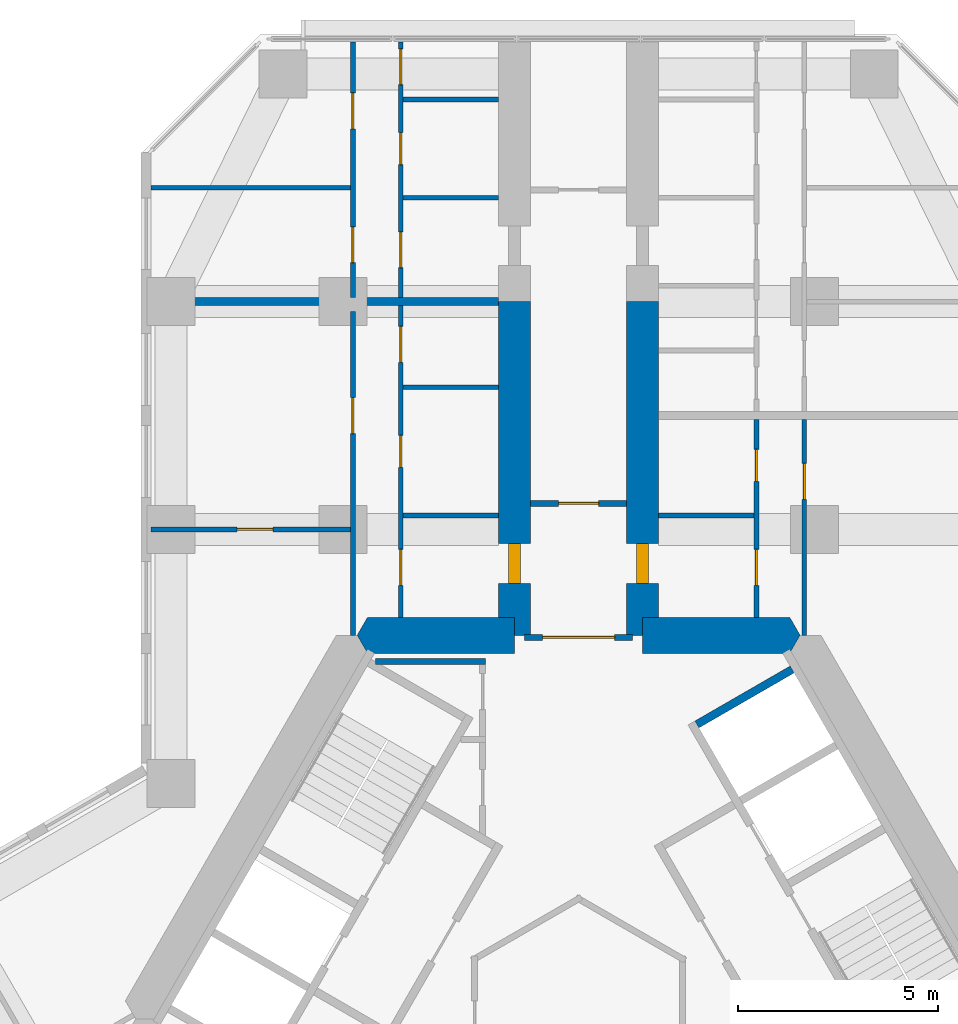
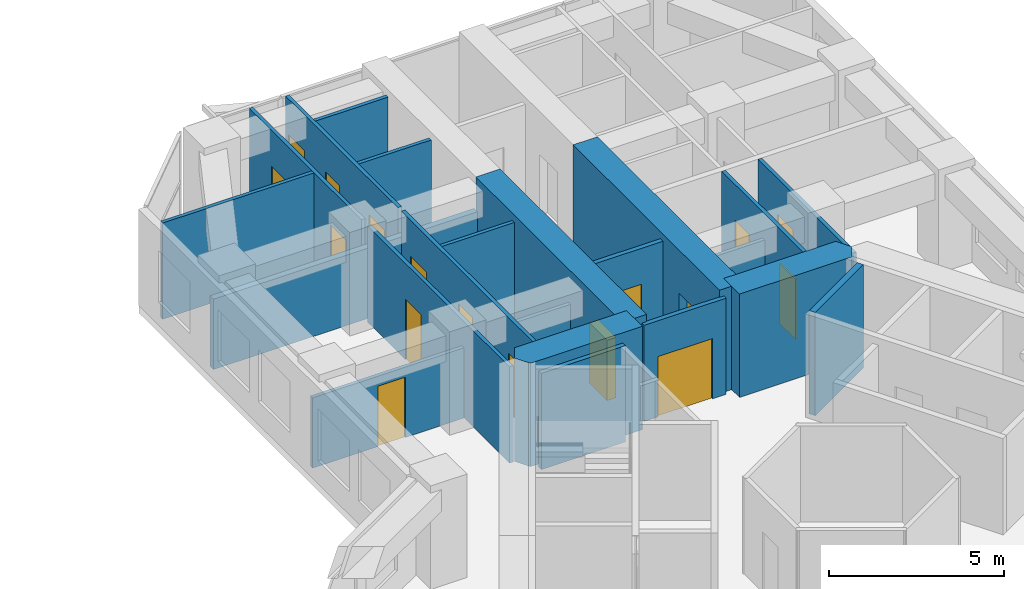
# One storey, part 17 of 20: 22 walls, 17 doors, 17 openings.
"""IFC4 building model written with IfcOpenShell, lengths in metres."""

from ifc_helpers import new_model, si_unit, direction, frame, frame_2d, origin, place, context, subcontext, project, spatial, polyline, rectangle, outline, extrude, material, layer, layer_set, type_object, element, fill, save


model = new_model("IFC4")

# Units and contexts
model_context = context("Model", 3, precision=1e-05, world=origin(), true_north=direction((0.0, 1.0)))
body_context = subcontext(model_context, "Body", "Model", "MODEL_VIEW")
ifc_project = project(units=[si_unit("LENGTHUNIT", "METRE"), si_unit("AREAUNIT", "SQUARE_METRE"), si_unit("VOLUMEUNIT", "CUBIC_METRE"), si_unit("PLANEANGLEUNIT", "RADIAN"), si_unit("MASSUNIT", "GRAM", prefix="KILO")], contexts=[model_context])

# Site, building, storey
site_placement = place(None, origin())
site = spatial("IfcSite", under=ifc_project, at=site_placement, CompositionType="ELEMENT")
building_placement = place(site_placement, origin())
building = spatial("IfcBuilding", under=site, at=building_placement, Name="Kosmar Iwan School Tower", CompositionType="ELEMENT")
storey_placement = place(building_placement, frame((0.0, 0.0, 123.800048828125)))
storey = spatial("IfcBuildingStorey", under=building, at=storey_placement, Name="L30", CompositionType="ELEMENT", Elevation=123.800048828125)

# Walls
ifc_material_1 = material(Name="Gypsum board on steel studs, fire-rated", Category="steel")
ifc_layer_1 = layer(ifc_material_1, 0.14990234375)
ifc_layer_set_1 = layer_set([ifc_layer_1], Name="Core room partition 150")
wall_type_1 = type_object("IfcWallType", Name="Core room partition 150", PredefinedType="PARTITIONING", material=ifc_layer_set_1)
wall_1_placement = place(storey_placement, frame((-5.089599609375, 8.93994140625, 0.0), z_axis=(0.0, 0.0, 1.0), x_axis=(1.0, 0.0, 0.0)))
element("IfcWall", 1, at=wall_1_placement, inside=storey, type_object=wall_type_1, Name="Core room partition L30-CW3", PredefinedType="PARTITIONING", context=body_context, shape_type="SweptSolid", body=[
    extrude(rectangle(XDim=2.7646484375, YDim=0.14990234375, at=frame_2d((1.38232421875, 0.0))), origin(), (0.0, 0.0, 1.0), 3.349853515625),
])
ifc_material_2 = material(Name="Concrete C50/60", Category="concrete")
ifc_layer_2 = layer(ifc_material_2, 0.89990234375)
ifc_layer_set_2 = layer_set([ifc_layer_2], Name="Core wall 900")
wall_type_2 = type_object("IfcWallType", Name="Core wall 900", PredefinedType="SHEAR", material=ifc_layer_set_2)
wall_2_placement = place(storey_placement, origin())
element("IfcWall", 2, at=wall_2_placement, inside=storey, type_object=wall_type_2, Name="Core wall F090a", PredefinedType="SHEAR", context=body_context, shape_type="SweptSolid", body=[
    extrude(outline(polyline([(1.60009765625, 9.14990234375), (5.28271484375, 9.14990234375), (5.54248046875, 9.60009765625), (5.28271484375, 10.050048828125), (1.60009765625, 10.050048828125), (1.60009765625, 9.14990234375)])), origin(), (0.0, 0.0, 1.0), 3.599853515625),
])
wall_3_placement = place(storey_placement, origin())
element("IfcWall", 3, at=wall_3_placement, inside=storey, type_object=wall_type_2, Name="Core wall F090b", PredefinedType="SHEAR", context=body_context, shape_type="SweptSolid", body=[
    extrude(outline(polyline([(-5.28271484375, 9.14990234375), (-1.60009765625, 9.14990234375), (-1.60009765625, 10.050048828125), (-5.28271484375, 10.050048828125), (-5.54248046875, 9.60009765625), (-5.28271484375, 9.14990234375)])), origin(), (0.0, 0.0, 1.0), 3.599853515625),
])

# Wall, opening, door
ifc_material_3 = material(Name="Concrete C50/60", Category="concrete")
ifc_layer_3 = layer(ifc_material_3, 0.800048828125)
ifc_layer_set_3 = layer_set([ifc_layer_3], Name="Corridor buttress wall 800")
wall_type_3 = type_object("IfcWallType", Name="Corridor buttress wall 800", PredefinedType="SHEAR", material=ifc_layer_set_3)
wall_4_placement = place(storey_placement, frame((-1.60009765625, 9.60009765625, 0.0), z_axis=(0.0, 0.0, 1.0), x_axis=(0.0, 1.0, 0.0)))
wall_4 = element("IfcWall", 4, at=wall_4_placement, inside=storey, type_object=wall_type_3, Name="Corridor wall AL", PredefinedType="SHEAR", context=body_context, shape_type="SweptSolid", body=[
    extrude(rectangle(XDim=8.349853515625, YDim=0.800048828125, at=frame_2d((4.1748046875, 0.0))), origin(), (0.0, 0.0, 1.0), 3.599853515625),
])
opening_1_placement = place(wall_4_placement, frame((1.300048828125, 0.0, 0.0)))
opening_1 = element("IfcOpeningElement", 5, at=opening_1_placement, cuts=wall_4, Name="Opening D1", PredefinedType="OPENING", context=body_context, shape_type="SweptSolid", body=[
    extrude(rectangle(XDim=1.0, YDim=2.10009765625, at=frame_2d((0.5, 1.050048828125))), frame((0.0, 0.412109375, 0.0), z_axis=(0.0, -1.0, 0.0), x_axis=(1.0, 0.0, 0.0)), (0.0, 0.0, 1.0), 0.823974609375),
])
ifc_material_4 = material(Name="Timber fire door in steel frame", Category="steel")
door_type_1 = type_object("IfcDoorType", Name="Flat entrance door 1000x2100", OperationType="SINGLE_SWING_LEFT", PredefinedType="DOOR", material=ifc_material_4)
door_1_placement = place(opening_1_placement, origin())
door_1 = element("IfcDoor", 6, at=door_1_placement, inside=storey, type_object=door_type_1, Name="Flat L30-AL1 entrance door", OperationType="SINGLE_SWING_RIGHT", OverallHeight=2.10009765625, OverallWidth=1.0, PredefinedType="DOOR", context=body_context, shape_type="SweptSolid", body=[
    extrude(rectangle(XDim=1.0, YDim=2.10009765625, at=frame_2d((0.5, 1.050048828125))), frame((0.0, 0.14990234375, 0.0), z_axis=(0.0, -1.0, 0.0), x_axis=(1.0, 0.0, 0.0)), (0.0, 0.0, 1.0), 0.300048828125),
])
fill(opening_1, door_1)

wall_5_placement = place(storey_placement, frame((1.60009765625, 9.60009765625, 0.0), z_axis=(0.0, 0.0, 1.0), x_axis=(0.0, 1.0, 0.0)))
wall_5 = element("IfcWall", 7, at=wall_5_placement, inside=storey, type_object=wall_type_3, Name="Corridor wall AR", PredefinedType="SHEAR", context=body_context, shape_type="SweptSolid", body=[
    extrude(rectangle(XDim=8.349853515625, YDim=0.800048828125, at=frame_2d((4.1748046875, 0.0))), origin(), (0.0, 0.0, 1.0), 3.599853515625),
])
opening_2_placement = place(wall_5_placement, frame((1.300048828125, 0.0, 0.0)))
opening_2 = element("IfcOpeningElement", 8, at=opening_2_placement, cuts=wall_5, Name="Opening D1", PredefinedType="OPENING", context=body_context, shape_type="SweptSolid", body=[
    extrude(rectangle(XDim=1.0, YDim=2.10009765625, at=frame_2d((0.5, 1.050048828125))), frame((0.0, 0.412109375, 0.0), z_axis=(0.0, -1.0, 0.0), x_axis=(1.0, 0.0, 0.0)), (0.0, 0.0, 1.0), 0.823974609375),
])
door_2_placement = place(opening_2_placement, origin())
door_2 = element("IfcDoor", 9, at=door_2_placement, inside=storey, type_object=door_type_1, Name="Flat L30-AR1 entrance door", OperationType="SINGLE_SWING_RIGHT", OverallHeight=2.10009765625, OverallWidth=1.0, PredefinedType="DOOR", context=body_context, shape_type="SweptSolid", body=[
    extrude(rectangle(XDim=1.0, YDim=2.10009765625, at=frame_2d((0.5, 1.050048828125))), frame((0.0, 0.14990234375, 0.0), z_axis=(0.0, -1.0, 0.0), x_axis=(1.0, 0.0, 0.0)), (0.0, 0.0, 1.0), 0.300048828125),
])
fill(opening_2, door_2)

ifc_material_5 = material(Name="Gypsum board on steel studs, fire-rated", Category="steel")
ifc_layer_4 = layer(ifc_material_5, 0.14990234375)
ifc_layer_set_4 = layer_set([ifc_layer_4], Name="Corridor end wall 150")
wall_type_4 = type_object("IfcWallType", Name="Corridor end wall 150", PredefinedType="PARTITIONING", material=ifc_layer_set_4)
wall_6_placement = place(storey_placement, frame((1.199951171875, 12.89990234375, 0.0), z_axis=(0.0, 0.0, 1.0), x_axis=(-1.0, 0.0, 0.0)))
wall_6 = element("IfcWall", 10, at=wall_6_placement, inside=storey, type_object=wall_type_4, Name="Partition L30-A-HW", PredefinedType="PARTITIONING", context=body_context, shape_type="SweptSolid", body=[
    extrude(rectangle(XDim=2.39990234375, YDim=0.14990234375, at=frame_2d((1.199951171875, 0.0))), origin(), (0.0, 0.0, 1.0), 3.349853515625),
])
opening_3_placement = place(wall_6_placement, frame((0.699951171875, 0.0, 0.0)))
opening_3 = element("IfcOpeningElement", 11, at=opening_3_placement, cuts=wall_6, Name="Opening D13", PredefinedType="OPENING", context=body_context, shape_type="SweptSolid", body=[
    extrude(rectangle(XDim=1.0, YDim=2.10009765625, at=frame_2d((0.5, 1.050048828125))), frame((0.0, 0.0869140625, 0.0), z_axis=(0.0, -1.0, 0.0), x_axis=(1.0, 0.0, 0.0)), (0.0, 0.0, 1.0), 0.173828125),
])
ifc_material_6 = material(Name="Timber fire door with vision panel", Category="wood")
door_type_2 = type_object("IfcDoorType", Name="Corridor end door 1000x2100", OperationType="SINGLE_SWING_LEFT", PredefinedType="DOOR", material=ifc_material_6)
door_3_placement = place(opening_3_placement, origin())
door_3 = element("IfcDoor", 12, at=door_3_placement, inside=storey, type_object=door_type_2, Name="Hashti door L30-A", OperationType="SINGLE_SWING_RIGHT", OverallHeight=2.10009765625, OverallWidth=1.0, PredefinedType="DOOR", context=body_context, shape_type="SweptSolid", body=[
    extrude(rectangle(XDim=1.0, YDim=2.10009765625, at=frame_2d((0.5, 1.050048828125))), frame((0.0, 0.02490234375, 0.0), z_axis=(0.0, -1.0, 0.0), x_axis=(1.0, 0.0, 0.0)), (0.0, 0.0, 1.0), 0.050048828125),
])
fill(opening_3, door_3)

ifc_material_7 = material(Name="Steel framed glazed screen", Category="steel")
ifc_layer_5 = layer(ifc_material_7, 0.14990234375)
ifc_layer_set_5 = layer_set([ifc_layer_5], Name="Corridor screen wall 150")
wall_type_5 = type_object("IfcWallType", Name="Corridor screen wall 150", PredefinedType="PARTITIONING", material=ifc_layer_set_5)
wall_7_placement = place(storey_placement, frame((1.35009765625, 9.550048828125, 0.0), z_axis=(0.0, 0.0, 1.0), x_axis=(-1.0, 0.0, 0.0)))
wall_7 = element("IfcWall", 13, at=wall_7_placement, inside=storey, type_object=wall_type_5, Name="Corridor screen A L30", PredefinedType="PARTITIONING", context=body_context, shape_type="SweptSolid", body=[
    extrude(rectangle(XDim=2.7001953125, YDim=0.14990234375, at=frame_2d((1.35009765625, 0.0))), origin(), (0.0, 0.0, 1.0), 3.349853515625),
])
opening_4_placement = place(wall_7_placement, frame((0.449951171875, 0.0, 0.0)))
opening_4 = element("IfcOpeningElement", 14, at=opening_4_placement, cuts=wall_7, Name="Opening D9", PredefinedType="OPENING", context=body_context, shape_type="SweptSolid", body=[
    extrude(rectangle(XDim=1.800048828125, YDim=2.10009765625, at=frame_2d((0.89990234375, 1.050048828125))), frame((0.0, 0.0869140625, 0.0), z_axis=(0.0, -1.0, 0.0), x_axis=(1.0, 0.0, 0.0)), (0.0, 0.0, 1.0), 0.173828125),
])
ifc_material_8 = material(Name="Steel framed glazed smoke door", Category="steel")
door_type_3 = type_object("IfcDoorType", Name="Corridor smoke door pair 1800x2100", OperationType="DOUBLE_DOOR_DOUBLE_SWING", PredefinedType="DOOR", material=ifc_material_8)
door_4_placement = place(opening_4_placement, origin())
door_4 = element("IfcDoor", 15, at=door_4_placement, inside=storey, type_object=door_type_3, Name="Corridor doors A L30", OperationType="DOUBLE_DOOR_DOUBLE_SWING", OverallHeight=2.10009765625, OverallWidth=1.800048828125, PredefinedType="DOOR", context=body_context, shape_type="SweptSolid", body=[
    extrude(rectangle(XDim=1.800048828125, YDim=2.10009765625, at=frame_2d((0.89990234375, 1.050048828125))), frame((0.0, 0.02490234375, 0.0), z_axis=(0.0, -1.0, 0.0), x_axis=(1.0, 0.0, 0.0)), (0.0, 0.0, 1.0), 0.050048828125),
])
fill(opening_4, door_4)

# Wall, openings, doors
ifc_material_9 = material(Name="Gypsum board on steel studs", Category="steel")
ifc_layer_6 = layer(ifc_material_9, 0.1201171875)
ifc_layer_set_6 = layer_set([ifc_layer_6], Name="Dwelling partition 120")
wall_type_6 = type_object("IfcWallType", Name="Dwelling partition 120", PredefinedType="PARTITIONING", material=ifc_layer_set_6)
wall_8_placement = place(storey_placement, frame((-4.449951171875, 10.050048828125, 0.0), z_axis=(0.0, 0.0, 1.0), x_axis=(0.0, 1.0, 0.0)))
wall_8 = element("IfcWall", 16, at=wall_8_placement, inside=storey, type_object=wall_type_6, Name="Partition L30-AL1-W1", PredefinedType="PARTITIONING", context=body_context, shape_type="SweptSolid", body=[
    extrude(rectangle(XDim=7.800048828125, YDim=0.1201171875, at=frame_2d((3.89990234375, 0.0))), origin(), (0.0, 0.0, 1.0), 3.349853515625),
])
opening_5_placement = place(wall_8_placement, frame((0.800048828125, 0.0, 0.0)))
opening_5 = element("IfcOpeningElement", 17, at=opening_5_placement, cuts=wall_8, Name="Opening D2", PredefinedType="OPENING", context=body_context, shape_type="SweptSolid", body=[
    extrude(rectangle(XDim=0.89990234375, YDim=2.10009765625, at=frame_2d((0.449951171875, 1.050048828125))), frame((0.0, 0.072021484375, 0.0), z_axis=(0.0, -1.0, 0.0), x_axis=(1.0, 0.0, 0.0)), (0.0, 0.0, 1.0), 0.14404296875),
])
opening_6_placement = place(wall_8_placement, frame((3.755126953125, 0.0, 0.0)))
opening_6 = element("IfcOpeningElement", 18, at=opening_6_placement, cuts=wall_8, Name="Opening D3", PredefinedType="OPENING", context=body_context, shape_type="SweptSolid", body=[
    extrude(rectangle(XDim=0.800048828125, YDim=2.10009765625, at=frame_2d((0.39990234375, 1.050048828125))), frame((0.0, 0.072021484375, 0.0), z_axis=(0.0, -1.0, 0.0), x_axis=(1.0, 0.0, 0.0)), (0.0, 0.0, 1.0), 0.14404296875),
])
opening_7_placement = place(wall_8_placement, frame((6.380126953125, 0.0, 0.0)))
opening_7 = element("IfcOpeningElement", 19, at=opening_7_placement, cuts=wall_8, Name="Opening D2", PredefinedType="OPENING", context=body_context, shape_type="SweptSolid", body=[
    extrude(rectangle(XDim=0.89990234375, YDim=2.10009765625, at=frame_2d((0.449951171875, 1.050048828125))), frame((0.0, 0.072021484375, 0.0), z_axis=(0.0, -1.0, 0.0), x_axis=(1.0, 0.0, 0.0)), (0.0, 0.0, 1.0), 0.14404296875),
])
ifc_material_10 = material(Name="Timber door in timber frame", Category="wood")
door_type_4 = type_object("IfcDoorType", Name="Internal door 900x2100", OperationType="SINGLE_SWING_LEFT", PredefinedType="DOOR", material=ifc_material_10)
door_5_placement = place(opening_5_placement, origin())
door_5 = element("IfcDoor", 20, at=door_5_placement, inside=storey, type_object=door_type_4, Name="Entrance hall door L30-AL1-S1", OperationType="SINGLE_SWING_LEFT", OverallHeight=2.10009765625, OverallWidth=0.89990234375, PredefinedType="DOOR", context=body_context, shape_type="SweptSolid", body=[
    extrude(rectangle(XDim=0.89990234375, YDim=2.10009765625, at=frame_2d((0.449951171875, 1.050048828125))), frame((0.0, 0.02490234375, 0.0), z_axis=(0.0, -1.0, 0.0), x_axis=(1.0, 0.0, 0.0)), (0.0, 0.0, 1.0), 0.050048828125),
])
fill(opening_5, door_5)
door_6_placement = place(opening_7_placement, origin())
door_6 = element("IfcDoor", 21, at=door_6_placement, inside=storey, type_object=door_type_4, Name="Pantry door L30-AL1-S3", OperationType="SINGLE_SWING_RIGHT", OverallHeight=2.10009765625, OverallWidth=0.89990234375, PredefinedType="DOOR", context=body_context, shape_type="SweptSolid", body=[
    extrude(rectangle(XDim=0.89990234375, YDim=2.10009765625, at=frame_2d((0.449951171875, 1.050048828125))), frame((0.0, 0.02490234375, 0.0), z_axis=(0.0, -1.0, 0.0), x_axis=(1.0, 0.0, 0.0)), (0.0, 0.0, 1.0), 0.050048828125),
])
fill(opening_7, door_6)
ifc_material_11 = material(Name="Timber door in timber frame", Category="wood")
door_type_5 = type_object("IfcDoorType", Name="Sanitary room door 800x2100", OperationType="SINGLE_SWING_LEFT", PredefinedType="DOOR", material=ifc_material_11)
door_7_placement = place(opening_6_placement, origin())
door_7 = element("IfcDoor", 22, at=door_7_placement, inside=storey, type_object=door_type_5, Name="Bathroom door L30-AL1-S2", OperationType="SINGLE_SWING_RIGHT", OverallHeight=2.10009765625, OverallWidth=0.800048828125, PredefinedType="DOOR", context=body_context, shape_type="SweptSolid", body=[
    extrude(rectangle(XDim=0.800048828125, YDim=2.10009765625, at=frame_2d((0.39990234375, 1.050048828125))), frame((0.0, 0.02490234375, 0.0), z_axis=(0.0, -1.0, 0.0), x_axis=(1.0, 0.0, 0.0)), (0.0, 0.0, 1.0), 0.050048828125),
])
fill(opening_6, door_7)

# Wall, opening, door
wall_9_placement = place(storey_placement, frame((-5.64990234375, 9.60009765625, 0.0), z_axis=(0.0, 0.0, 1.0), x_axis=(0.0, 1.0, 0.0)))
wall_9 = element("IfcWall", 23, at=wall_9_placement, inside=storey, type_object=wall_type_6, Name="Partition L30-AL1-W2", PredefinedType="PARTITIONING", context=body_context, shape_type="SweptSolid", body=[
    extrude(rectangle(XDim=8.099853515625, YDim=0.1201171875, at=frame_2d((4.0498046875, 0.0))), origin(), (0.0, 0.0, 1.0), 3.349853515625),
])
opening_8_placement = place(wall_9_placement, frame((5.050048828125, 0.0, 0.0)))
opening_8 = element("IfcOpeningElement", 24, at=opening_8_placement, cuts=wall_9, Name="Opening D2", PredefinedType="OPENING", context=body_context, shape_type="SweptSolid", body=[
    extrude(rectangle(XDim=0.89990234375, YDim=2.10009765625, at=frame_2d((0.449951171875, 1.050048828125))), frame((0.0, 0.072021484375, 0.0), z_axis=(0.0, -1.0, 0.0), x_axis=(1.0, 0.0, 0.0)), (0.0, 0.0, 1.0), 0.14404296875),
])
door_8_placement = place(opening_8_placement, origin())
door_8 = element("IfcDoor", 25, at=door_8_placement, inside=storey, type_object=door_type_4, Name="Studio living room door L30-AL1-F2", OperationType="SINGLE_SWING_RIGHT", OverallHeight=2.10009765625, OverallWidth=0.89990234375, PredefinedType="DOOR", context=body_context, shape_type="SweptSolid", body=[
    extrude(rectangle(XDim=0.89990234375, YDim=2.10009765625, at=frame_2d((0.449951171875, 1.050048828125))), frame((0.0, 0.02490234375, 0.0), z_axis=(0.0, -1.0, 0.0), x_axis=(1.0, 0.0, 0.0)), (0.0, 0.0, 1.0), 0.050048828125),
])
fill(opening_8, door_8)

wall_10_placement = place(storey_placement, frame((-5.7099609375, 12.25, 0.0), z_axis=(0.0, 0.0, 1.0), x_axis=(-1.0, 0.0, 0.0)))
wall_10 = element("IfcWall", 26, at=wall_10_placement, inside=storey, type_object=wall_type_6, Name="Partition L30-AL1-X1", PredefinedType="PARTITIONING", context=body_context, shape_type="SweptSolid", body=[
    extrude(rectangle(XDim=4.989990234375, YDim=0.1201171875, at=frame_2d((2.4951171875, 0.0))), origin(), (0.0, 0.0, 1.0), 2.449951171875),
])
opening_9_placement = place(wall_10_placement, frame((1.93994140625, 0.0, 0.0)))
opening_9 = element("IfcOpeningElement", 27, at=opening_9_placement, cuts=wall_10, Name="Opening D2", PredefinedType="OPENING", context=body_context, shape_type="SweptSolid", body=[
    extrude(rectangle(XDim=0.89990234375, YDim=2.10009765625, at=frame_2d((0.449951171875, 1.050048828125))), frame((0.0, 0.072021484375, 0.0), z_axis=(0.0, -1.0, 0.0), x_axis=(1.0, 0.0, 0.0)), (0.0, 0.0, 1.0), 0.14404296875),
])
door_9_placement = place(opening_9_placement, origin())
door_9 = element("IfcDoor", 28, at=door_9_placement, inside=storey, type_object=door_type_4, Name="Kitchen and dining room door L30-AL1-F1", OperationType="SINGLE_SWING_LEFT", OverallHeight=2.10009765625, OverallWidth=0.89990234375, PredefinedType="DOOR", context=body_context, shape_type="SweptSolid", body=[
    extrude(rectangle(XDim=0.89990234375, YDim=2.10009765625, at=frame_2d((0.449951171875, 1.050048828125))), frame((0.0, 0.02490234375, 0.0), z_axis=(0.0, -1.0, 0.0), x_axis=(1.0, 0.0, 0.0)), (0.0, 0.0, 1.0), 0.050048828125),
])
fill(opening_9, door_9)

# Walls
wall_11_placement = place(storey_placement, frame((-2.0, 12.60009765625, 0.0), z_axis=(0.0, 0.0, 1.0), x_axis=(-1.0, 0.0, 0.0)))
element("IfcWall", 29, at=wall_11_placement, inside=storey, type_object=wall_type_6, Name="Partition L30-AL1-Y1", PredefinedType="PARTITIONING", context=body_context, shape_type="SweptSolid", body=[
    extrude(rectangle(XDim=2.389892578125, YDim=0.1201171875, at=frame_2d((1.19482421875, 0.0))), origin(), (0.0, 0.0, 1.0), 2.449951171875),
])
wall_12_placement = place(storey_placement, frame((-2.0, 15.81005859375, 0.0), z_axis=(0.0, 0.0, 1.0), x_axis=(-1.0, 0.0, 0.0)))
element("IfcWall", 30, at=wall_12_placement, inside=storey, type_object=wall_type_6, Name="Partition L30-AL1-Y2", PredefinedType="PARTITIONING", context=body_context, shape_type="SweptSolid", body=[
    extrude(rectangle(XDim=2.389892578125, YDim=0.1201171875, at=frame_2d((1.19482421875, 0.0))), origin(), (0.0, 0.0, 1.0), 3.349853515625),
])

# Wall, openings, doors
wall_13_placement = place(storey_placement, frame((-4.449951171875, 18.050048828125, 0.0), z_axis=(0.0, 0.0, 1.0), x_axis=(0.0, 1.0, 0.0)))
wall_13 = element("IfcWall", 31, at=wall_13_placement, inside=storey, type_object=wall_type_6, Name="Partition L30-AL2-W1", PredefinedType="PARTITIONING", context=body_context, shape_type="SweptSolid", body=[
    extrude(rectangle(XDim=6.39501953125, YDim=0.1201171875, at=frame_2d((3.197509765625, 0.0))), origin(), (0.0, 0.0, 1.0), 3.349853515625),
])
opening_10_placement = place(wall_13_placement, frame((0.75, 0.0, 0.0)))
opening_10 = element("IfcOpeningElement", 32, at=opening_10_placement, cuts=wall_13, Name="Opening D2", PredefinedType="OPENING", context=body_context, shape_type="SweptSolid", body=[
    extrude(rectangle(XDim=0.89990234375, YDim=2.10009765625, at=frame_2d((0.449951171875, 1.050048828125))), frame((0.0, 0.072021484375, 0.0), z_axis=(0.0, -1.0, 0.0), x_axis=(1.0, 0.0, 0.0)), (0.0, 0.0, 1.0), 0.14404296875),
])
opening_11_placement = place(wall_13_placement, frame((3.330078125, 0.0, 0.0)))
opening_11 = element("IfcOpeningElement", 33, at=opening_11_placement, cuts=wall_13, Name="Opening D3", PredefinedType="OPENING", context=body_context, shape_type="SweptSolid", body=[
    extrude(rectangle(XDim=0.800048828125, YDim=2.10009765625, at=frame_2d((0.39990234375, 1.050048828125))), frame((0.0, 0.072021484375, 0.0), z_axis=(0.0, -1.0, 0.0), x_axis=(1.0, 0.0, 0.0)), (0.0, 0.0, 1.0), 0.14404296875),
])
opening_12_placement = place(wall_13_placement, frame((5.330078125, 0.0, 0.0)))
opening_12 = element("IfcOpeningElement", 34, at=opening_12_placement, cuts=wall_13, Name="Opening D2", PredefinedType="OPENING", context=body_context, shape_type="SweptSolid", body=[
    extrude(rectangle(XDim=0.89990234375, YDim=2.10009765625, at=frame_2d((0.449951171875, 1.050048828125))), frame((0.0, 0.072021484375, 0.0), z_axis=(0.0, -1.0, 0.0), x_axis=(1.0, 0.0, 0.0)), (0.0, 0.0, 1.0), 0.14404296875),
])
door_10_placement = place(opening_10_placement, origin())
door_10 = element("IfcDoor", 35, at=door_10_placement, inside=storey, type_object=door_type_4, Name="Entrance hall door L30-AL2-S1", OperationType="SINGLE_SWING_LEFT", OverallHeight=2.10009765625, OverallWidth=0.89990234375, PredefinedType="DOOR", context=body_context, shape_type="SweptSolid", body=[
    extrude(rectangle(XDim=0.89990234375, YDim=2.10009765625, at=frame_2d((0.449951171875, 1.050048828125))), frame((0.0, 0.02490234375, 0.0), z_axis=(0.0, -1.0, 0.0), x_axis=(1.0, 0.0, 0.0)), (0.0, 0.0, 1.0), 0.050048828125),
])
fill(opening_10, door_10)
door_11_placement = place(opening_12_placement, origin())
door_11 = element("IfcDoor", 36, at=door_11_placement, inside=storey, type_object=door_type_4, Name="Pantry door L30-AL2-S3", OperationType="SINGLE_SWING_RIGHT", OverallHeight=2.10009765625, OverallWidth=0.89990234375, PredefinedType="DOOR", context=body_context, shape_type="SweptSolid", body=[
    extrude(rectangle(XDim=0.89990234375, YDim=2.10009765625, at=frame_2d((0.449951171875, 1.050048828125))), frame((0.0, 0.02490234375, 0.0), z_axis=(0.0, -1.0, 0.0), x_axis=(1.0, 0.0, 0.0)), (0.0, 0.0, 1.0), 0.050048828125),
])
fill(opening_12, door_11)
door_12_placement = place(opening_11_placement, origin())
door_12 = element("IfcDoor", 37, at=door_12_placement, inside=storey, type_object=door_type_5, Name="Bathroom door L30-AL2-S2", OperationType="SINGLE_SWING_RIGHT", OverallHeight=2.10009765625, OverallWidth=0.800048828125, PredefinedType="DOOR", context=body_context, shape_type="SweptSolid", body=[
    extrude(rectangle(XDim=0.800048828125, YDim=2.10009765625, at=frame_2d((0.39990234375, 1.050048828125))), frame((0.0, 0.02490234375, 0.0), z_axis=(0.0, -1.0, 0.0), x_axis=(1.0, 0.0, 0.0)), (0.0, 0.0, 1.0), 0.050048828125),
])
fill(opening_11, door_12)

wall_14_placement = place(storey_placement, frame((-5.64990234375, 18.050048828125, 0.0), z_axis=(0.0, 0.0, 1.0), x_axis=(0.0, 1.0, 0.0)))
wall_14 = element("IfcWall", 38, at=wall_14_placement, inside=storey, type_object=wall_type_6, Name="Partition L30-AL2-W2", PredefinedType="PARTITIONING", context=body_context, shape_type="SweptSolid", body=[
    extrude(rectangle(XDim=6.39501953125, YDim=0.1201171875, at=frame_2d((3.197509765625, 0.0))), origin(), (0.0, 0.0, 1.0), 3.349853515625),
])
opening_13_placement = place(wall_14_placement, frame((0.875, 0.0, 0.0)))
opening_13 = element("IfcOpeningElement", 39, at=opening_13_placement, cuts=wall_14, Name="Opening D2", PredefinedType="OPENING", context=body_context, shape_type="SweptSolid", body=[
    extrude(rectangle(XDim=0.89990234375, YDim=2.10009765625, at=frame_2d((0.449951171875, 1.050048828125))), frame((0.0, 0.072021484375, 0.0), z_axis=(0.0, -1.0, 0.0), x_axis=(1.0, 0.0, 0.0)), (0.0, 0.0, 1.0), 0.14404296875),
])
opening_14_placement = place(wall_14_placement, frame((4.22509765625, 0.0, 0.0)))
opening_14 = element("IfcOpeningElement", 40, at=opening_14_placement, cuts=wall_14, Name="Opening D2", PredefinedType="OPENING", context=body_context, shape_type="SweptSolid", body=[
    extrude(rectangle(XDim=0.89990234375, YDim=2.10009765625, at=frame_2d((0.449951171875, 1.050048828125))), frame((0.0, 0.072021484375, 0.0), z_axis=(0.0, -1.0, 0.0), x_axis=(1.0, 0.0, 0.0)), (0.0, 0.0, 1.0), 0.14404296875),
])
door_13_placement = place(opening_13_placement, origin())
door_13 = element("IfcDoor", 41, at=door_13_placement, inside=storey, type_object=door_type_4, Name="Family room and kitchen door L30-AL2-F1", OperationType="SINGLE_SWING_RIGHT", OverallHeight=2.10009765625, OverallWidth=0.89990234375, PredefinedType="DOOR", context=body_context, shape_type="SweptSolid", body=[
    extrude(rectangle(XDim=0.89990234375, YDim=2.10009765625, at=frame_2d((0.449951171875, 1.050048828125))), frame((0.0, 0.02490234375, 0.0), z_axis=(0.0, -1.0, 0.0), x_axis=(1.0, 0.0, 0.0)), (0.0, 0.0, 1.0), 0.050048828125),
])
fill(opening_13, door_13)
door_14_placement = place(opening_14_placement, origin())
door_14 = element("IfcDoor", 42, at=door_14_placement, inside=storey, type_object=door_type_4, Name="Bedroom 1 door L30-AL2-F2", OperationType="SINGLE_SWING_RIGHT", OverallHeight=2.10009765625, OverallWidth=0.89990234375, PredefinedType="DOOR", context=body_context, shape_type="SweptSolid", body=[
    extrude(rectangle(XDim=0.89990234375, YDim=2.10009765625, at=frame_2d((0.449951171875, 1.050048828125))), frame((0.0, 0.02490234375, 0.0), z_axis=(0.0, -1.0, 0.0), x_axis=(1.0, 0.0, 0.0)), (0.0, 0.0, 1.0), 0.050048828125),
])
fill(opening_14, door_14)

# Walls
wall_15_placement = place(storey_placement, frame((-5.7099609375, 20.800048828125, 0.0), z_axis=(0.0, 0.0, 1.0), x_axis=(-1.0, 0.0, 0.0)))
element("IfcWall", 43, at=wall_15_placement, inside=storey, type_object=wall_type_6, Name="Partition L30-AL2-X1", PredefinedType="PARTITIONING", context=body_context, shape_type="SweptSolid", body=[
    extrude(rectangle(XDim=4.989990234375, YDim=0.1201171875, at=frame_2d((2.4951171875, 0.0))), origin(), (0.0, 0.0, 1.0), 3.349853515625),
])
for number, where, z_axis, x_axis, name in (
    (44, (-2.0, 20.550048828125, 0.0), (0.0, 0.0, 1.0), (-1.0, 0.0, 0.0), "Partition L30-AL2-Y1"),
    (45, (-2.0, 23.010009765625, 0.0), (0.0, 0.0, 1.0), (-1.0, 0.0, 0.0), "Partition L30-AL2-Y2"),
):
    element("IfcWall", number, at=place(storey_placement, frame(where, z_axis=z_axis, x_axis=x_axis)), inside=storey, type_object=wall_type_6, Name=name, PredefinedType="PARTITIONING", context=body_context, shape_type="SweptSolid", body=[
        extrude(rectangle(XDim=2.389892578125, YDim=0.1201171875, at=frame_2d((1.19482421875, 0.0))), origin(), (0.0, 0.0, 1.0), 3.349853515625),
    ])

# Wall, openings, doors
wall_16_placement = place(storey_placement, frame((4.449951171875, 10.050048828125, 0.0), z_axis=(0.0, 0.0, 1.0), x_axis=(0.0, 1.0, 0.0)))
wall_16 = element("IfcWall", 46, at=wall_16_placement, inside=storey, type_object=wall_type_6, Name="Partition L30-AR1-W1", PredefinedType="PARTITIONING", context=body_context, shape_type="SweptSolid", body=[
    extrude(rectangle(XDim=4.949951171875, YDim=0.1201171875, at=frame_2d((2.47509765625, 0.0))), origin(), (0.0, 0.0, 1.0), 3.349853515625),
])
opening_15_placement = place(wall_16_placement, frame((0.800048828125, 0.0, 0.0)))
opening_15 = element("IfcOpeningElement", 47, at=opening_15_placement, cuts=wall_16, Name="Opening D2", PredefinedType="OPENING", context=body_context, shape_type="SweptSolid", body=[
    extrude(rectangle(XDim=0.89990234375, YDim=2.10009765625, at=frame_2d((0.449951171875, 1.050048828125))), frame((0.0, 0.072021484375, 0.0), z_axis=(0.0, -1.0, 0.0), x_axis=(1.0, 0.0, 0.0)), (0.0, 0.0, 1.0), 0.14404296875),
])
opening_16_placement = place(wall_16_placement, frame((3.39990234375, 0.0, 0.0)))
opening_16 = element("IfcOpeningElement", 48, at=opening_16_placement, cuts=wall_16, Name="Opening D3", PredefinedType="OPENING", context=body_context, shape_type="SweptSolid", body=[
    extrude(rectangle(XDim=0.800048828125, YDim=2.10009765625, at=frame_2d((0.39990234375, 1.050048828125))), frame((0.0, 0.072021484375, 0.0), z_axis=(0.0, -1.0, 0.0), x_axis=(1.0, 0.0, 0.0)), (0.0, 0.0, 1.0), 0.14404296875),
])
door_15_placement = place(opening_15_placement, origin())
door_15 = element("IfcDoor", 49, at=door_15_placement, inside=storey, type_object=door_type_4, Name="Entrance hall door L30-AR1-S1", OperationType="SINGLE_SWING_RIGHT", OverallHeight=2.10009765625, OverallWidth=0.89990234375, PredefinedType="DOOR", context=body_context, shape_type="SweptSolid", body=[
    extrude(rectangle(XDim=0.89990234375, YDim=2.10009765625, at=frame_2d((0.449951171875, 1.050048828125))), frame((0.0, 0.02490234375, 0.0), z_axis=(0.0, -1.0, 0.0), x_axis=(1.0, 0.0, 0.0)), (0.0, 0.0, 1.0), 0.050048828125),
])
fill(opening_15, door_15)
door_16_placement = place(opening_16_placement, origin())
door_16 = element("IfcDoor", 50, at=door_16_placement, inside=storey, type_object=door_type_5, Name="Bathroom door L30-AR1-S2", OperationType="SINGLE_SWING_RIGHT", OverallHeight=2.10009765625, OverallWidth=0.800048828125, PredefinedType="DOOR", context=body_context, shape_type="SweptSolid", body=[
    extrude(rectangle(XDim=0.800048828125, YDim=2.10009765625, at=frame_2d((0.39990234375, 1.050048828125))), frame((0.0, 0.02490234375, 0.0), z_axis=(0.0, -1.0, 0.0), x_axis=(1.0, 0.0, 0.0)), (0.0, 0.0, 1.0), 0.050048828125),
])
fill(opening_16, door_16)

# Wall, opening, door
wall_17_placement = place(storey_placement, frame((5.64990234375, 9.60009765625, 0.0), z_axis=(0.0, 0.0, 1.0), x_axis=(0.0, 1.0, 0.0)))
wall_17 = element("IfcWall", 51, at=wall_17_placement, inside=storey, type_object=wall_type_6, Name="Partition L30-AR1-W2", PredefinedType="PARTITIONING", context=body_context, shape_type="SweptSolid", body=[
    extrude(rectangle(XDim=5.39990234375, YDim=0.1201171875, at=frame_2d((2.699951171875, 0.0))), origin(), (0.0, 0.0, 1.0), 3.349853515625),
])
opening_17_placement = place(wall_17_placement, frame((3.39990234375, 0.0, 0.0)))
opening_17 = element("IfcOpeningElement", 52, at=opening_17_placement, cuts=wall_17, Name="Opening D2", PredefinedType="OPENING", context=body_context, shape_type="SweptSolid", body=[
    extrude(rectangle(XDim=0.89990234375, YDim=2.10009765625, at=frame_2d((0.449951171875, 1.050048828125))), frame((0.0, 0.072021484375, 0.0), z_axis=(0.0, -1.0, 0.0), x_axis=(1.0, 0.0, 0.0)), (0.0, 0.0, 1.0), 0.14404296875),
])
door_17_placement = place(opening_17_placement, origin())
door_17 = element("IfcDoor", 53, at=door_17_placement, inside=storey, type_object=door_type_4, Name="Studio living room and kitchen door L30-AR1-F1", OperationType="SINGLE_SWING_RIGHT", OverallHeight=2.10009765625, OverallWidth=0.89990234375, PredefinedType="DOOR", context=body_context, shape_type="SweptSolid", body=[
    extrude(rectangle(XDim=0.89990234375, YDim=2.10009765625, at=frame_2d((0.449951171875, 1.050048828125))), frame((0.0, 0.02490234375, 0.0), z_axis=(0.0, -1.0, 0.0), x_axis=(1.0, 0.0, 0.0)), (0.0, 0.0, 1.0), 0.050048828125),
])
fill(opening_17, door_17)

# Walls
wall_18_placement = place(storey_placement, frame((2.0, 12.60009765625, 0.0), z_axis=(0.0, 0.0, 1.0), x_axis=(1.0, 0.0, 0.0)))
element("IfcWall", 54, at=wall_18_placement, inside=storey, type_object=wall_type_6, Name="Partition L30-AR1-Y1", PredefinedType="PARTITIONING", context=body_context, shape_type="SweptSolid", body=[
    extrude(rectangle(XDim=2.389892578125, YDim=0.1201171875, at=frame_2d((1.19482421875, 0.0))), origin(), (0.0, 0.0, 1.0), 2.449951171875),
])
ifc_material_12 = material(Name="Concrete C50/60", Category="concrete")
ifc_layer_7 = layer(ifc_material_12, 0.199951171875)
ifc_layer_set_7 = layer_set([ifc_layer_7], Name="Lift shaft wall 200")
wall_type_7 = type_object("IfcWallType", Name="Lift shaft wall 200", PredefinedType="SHEAR", material=ifc_layer_set_7)
wall_19_placement = place(storey_placement, frame((2.962646484375, 7.368408203125, 0.0), z_axis=(0.0, 0.0, 1.0), x_axis=(0.866027397988, 0.499996545922, 0.0)))
element("IfcWall", 55, at=wall_19_placement, inside=storey, type_object=wall_type_7, Name="Lift shaft wall AC 2", PredefinedType="SHEAR", context=body_context, shape_type="SweptSolid", body=[
    extrude(rectangle(XDim=2.75, YDim=0.199951171875, at=frame_2d((1.375, 0.0))), origin(), (0.0, 0.0, 1.0), 3.599853515625),
])
ifc_material_13 = material(Name="Concrete block masonry", Category="masonry")
ifc_layer_8 = layer(ifc_material_13, 0.199951171875)
ifc_layer_set_8 = layer_set([ifc_layer_8], Name="Party wall 200")
wall_type_8 = type_object("IfcWallType", Name="Party wall 200", PredefinedType="PARTITIONING", material=ifc_layer_set_8)
wall_20_placement = place(storey_placement, frame((-2.0, 17.949951171875, 0.0), z_axis=(0.0, 0.0, 1.0), x_axis=(-1.0, 0.0, 0.0)))
element("IfcWall", 56, at=wall_20_placement, inside=storey, type_object=wall_type_8, Name="Partition L30-AL2-PW", PredefinedType="PARTITIONING", context=body_context, shape_type="SweptSolid", body=[
    extrude(rectangle(XDim=8.699951171875, YDim=0.199951171875, at=frame_2d((4.35009765625, 0.0))), origin(), (0.0, 0.0, 1.0), 2.449951171875),
])

save(model, "model.ifc")
